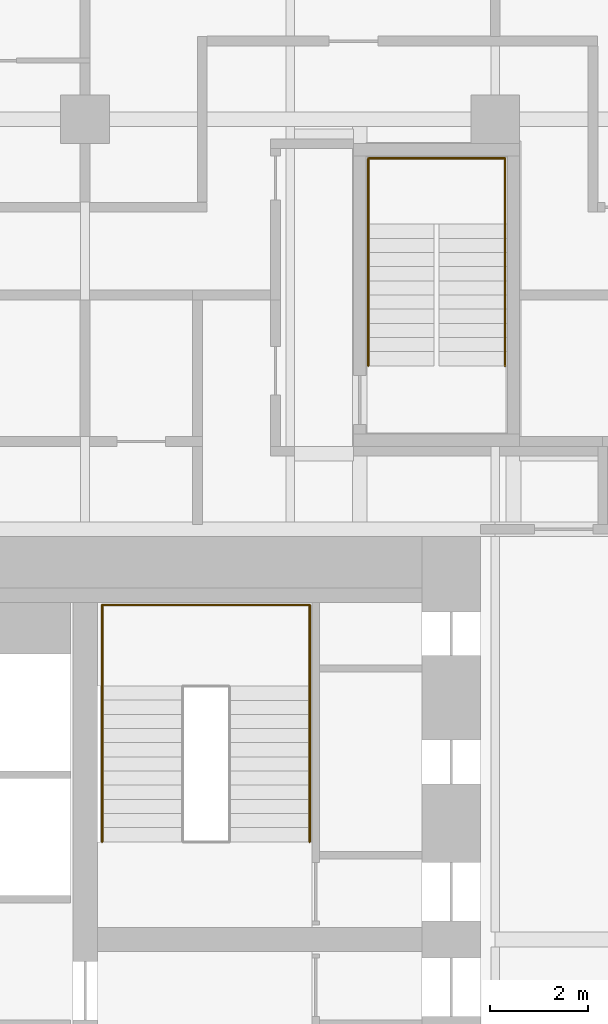
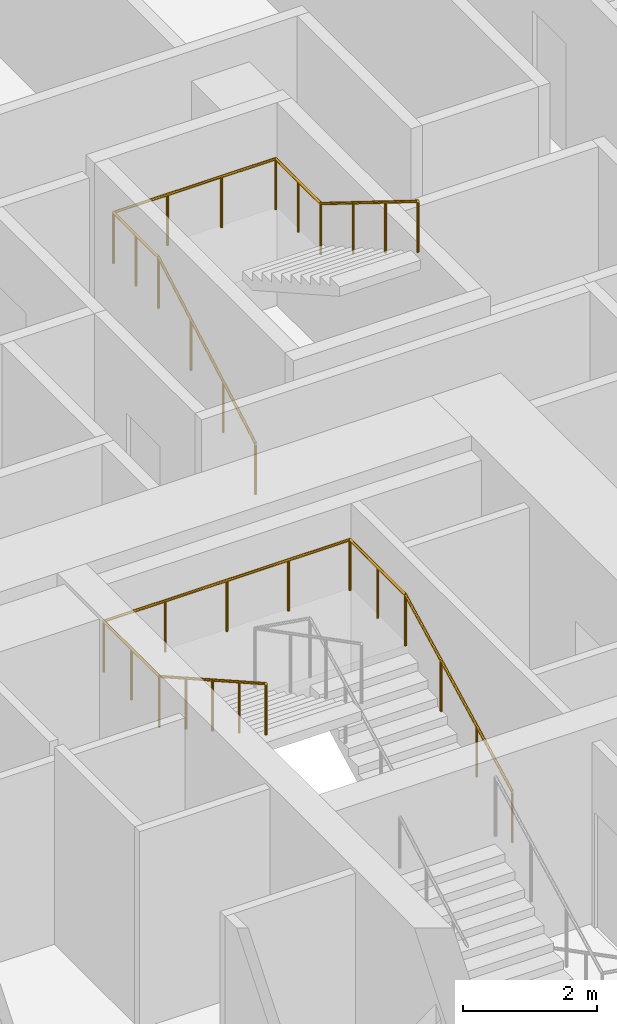
# One storey, part 27 of 27: 2 railings.
"""IFC4 building model written with IfcOpenShell, lengths in metres."""

from ifc_helpers import new_model, si_unit, direction, frame, origin, origin_2d, place, context, subcontext, project, spatial, circle, extrude, material, type_object, element, save


model = new_model("IFC4")

# Units and contexts
model_context = context("Model", 3, precision=1e-05, world=origin(), true_north=direction((0.0, 1.0)))
body_context = subcontext(model_context, "Body", "Model", "MODEL_VIEW")
ifc_project = project(units=[si_unit("LENGTHUNIT", "METRE"), si_unit("AREAUNIT", "SQUARE_METRE"), si_unit("VOLUMEUNIT", "CUBIC_METRE"), si_unit("PLANEANGLEUNIT", "RADIAN"), si_unit("MASSUNIT", "GRAM", prefix="KILO")], contexts=[model_context])

# Site, building, storey
site_placement = place(None, origin())
site = spatial("IfcSite", under=ifc_project, at=site_placement, CompositionType="ELEMENT")
building_placement = place(site_placement, origin())
building = spatial("IfcBuilding", under=site, at=building_placement, Name="Marenta Gate Hotel Tower", CompositionType="ELEMENT")
storey_placement = place(building_placement, frame((0.0, 0.0, 36.5)))
storey = spatial("IfcBuildingStorey", under=building, at=storey_placement, Name="L06", CompositionType="ELEMENT", Elevation=36.5)

# Railings
ifc_material = material(Name="Stainless steel", Category="steel")
railing_type = type_object("IfcRailingType", Name="Core stair handrail 950", PredefinedType="HANDRAIL", material=ifc_material)
railing_1_placement = place(storey_placement, frame((8.800048828125, 10.39990234375, 0.14990234375)))
element("IfcRailing", 1, at=railing_1_placement, inside=storey, type_object=railing_type, Name="HR-950 L06-KR-ST4-1", PredefinedType="HANDRAIL", context=body_context, shape_type="SweptSolid", body=[
    extrude(circle(Radius=0.02392578125, at=origin_2d()), frame((0.0, 0.0, 0.92578125), z_axis=(0.0, 0.888211904222, 0.459434013977), x_axis=(-1.0, 0.0, 0.0)), (0.0, 0.0, 1.0), 3.591796875),
    extrude(circle(Radius=0.02392578125, at=origin_2d()), frame((0.0, 3.190185546875, 2.576171875), z_axis=(0.0, 1.0, 0.0), x_axis=(-1.0, 0.0, 0.0)), (0.0, 0.0, 1.0), 1.659912109375),
    extrude(circle(Radius=0.02392578125, at=origin_2d()), frame((0.0, 4.85009765625, 2.576171875), z_axis=(-1.0, 0.0, 0.0), x_axis=(0.0, -1.0, 0.0)), (0.0, 0.0, 1.0), 4.25),
    extrude(circle(Radius=0.02392578125, at=origin_2d()), frame((-4.25, 4.85009765625, 2.576171875), z_axis=(0.0, -1.0, 0.0), x_axis=(1.0, 0.0, 0.0)), (0.0, 0.0, 1.0), 1.659912109375),
    extrude(circle(Radius=0.02392578125, at=origin_2d()), frame((-4.25, 3.190185546875, 2.576171875), z_axis=(0.0, -0.870925075533, 0.491415824742), x_axis=(1.0, 0.0, 0.0)), (0.0, 0.0, 1.0), 3.6630859375),
    extrude(circle(Radius=0.02099609375, at=origin_2d()), origin(), (0.0, 0.0, 1.0), 0.90185546875),
    extrude(circle(Radius=0.02099609375, at=origin_2d()), frame((0.0, 1.0634765625, 0.550048828125)), (0.0, 0.0, 1.0), 0.90185546875),
    extrude(circle(Radius=0.02099609375, at=origin_2d()), frame((0.0, 2.126708984375, 1.10009765625)), (0.0, 0.0, 1.0), 0.90185546875),
    extrude(circle(Radius=0.02099609375, at=origin_2d()), frame((0.0, 3.190185546875, 1.650146484375)), (0.0, 0.0, 1.0), 0.90185546875),
    extrude(circle(Radius=0.02099609375, at=origin_2d()), frame((0.0, 4.02001953125, 1.650146484375)), (0.0, 0.0, 1.0), 0.90185546875),
    extrude(circle(Radius=0.02099609375, at=origin_2d()), frame((0.0, 4.85009765625, 1.650146484375)), (0.0, 0.0, 1.0), 0.90185546875),
    extrude(circle(Radius=0.02099609375, at=origin_2d()), frame((-1.0625, 4.85009765625, 1.650146484375)), (0.0, 0.0, 1.0), 0.90185546875),
    extrude(circle(Radius=0.02099609375, at=origin_2d()), frame((-2.125, 4.85009765625, 1.650146484375)), (0.0, 0.0, 1.0), 0.90185546875),
    extrude(circle(Radius=0.02099609375, at=origin_2d()), frame((-3.1875, 4.85009765625, 1.650146484375)), (0.0, 0.0, 1.0), 0.90185546875),
    extrude(circle(Radius=0.02099609375, at=origin_2d()), frame((-4.25, 4.85009765625, 1.650146484375)), (0.0, 0.0, 1.0), 0.90185546875),
    extrude(circle(Radius=0.02099609375, at=origin_2d()), frame((-4.25, 4.02001953125, 1.650146484375)), (0.0, 0.0, 1.0), 0.90185546875),
    extrude(circle(Radius=0.02099609375, at=origin_2d()), frame((-4.25, 3.190185546875, 1.650146484375)), (0.0, 0.0, 1.0), 0.90185546875),
    extrude(circle(Radius=0.02099609375, at=origin_2d()), frame((-4.25, 2.392578125, 2.10009765625)), (0.0, 0.0, 1.0), 0.90185546875),
    extrude(circle(Radius=0.02099609375, at=origin_2d()), frame((-4.25, 1.59521484375, 2.55029296875)), (0.0, 0.0, 1.0), 0.90185546875),
    extrude(circle(Radius=0.02099609375, at=origin_2d()), frame((-4.25, 0.797607421875, 3.000244140625)), (0.0, 0.0, 1.0), 0.90185546875),
    extrude(circle(Radius=0.02099609375, at=origin_2d()), frame((-4.25, 0.0, 3.4501953125)), (0.0, 0.0, 1.0), 0.90185546875),
])
railing_2_placement = place(storey_placement, frame((10.0, 20.14990234375, 0.16357421875)))
element("IfcRailing", 2, at=railing_2_placement, inside=storey, type_object=railing_type, Name="HR-950 L06-RS-Z1-4-KR-1", PredefinedType="HANDRAIL", context=body_context, shape_type="SweptSolid", body=[
    extrude(circle(Radius=0.02392578125, at=origin_2d()), frame((0.0, 0.0, 0.92578125), z_axis=(0.0, 0.870914908162, 0.491433843708), x_axis=(-1.0, 0.0, 0.0)), (0.0, 0.0, 1.0), 3.330078125),
    extrude(circle(Radius=0.02392578125, at=origin_2d()), frame((0.0, 2.900146484375, 2.5625), z_axis=(0.0, 1.0, 0.0), x_axis=(-1.0, 0.0, 0.0)), (0.0, 0.0, 1.0), 1.349853515625),
    extrude(circle(Radius=0.02392578125, at=origin_2d()), frame((0.0, 4.25, 2.5625), z_axis=(1.0, 0.0, 0.0), x_axis=(0.0, 1.0, 0.0)), (0.0, 0.0, 1.0), 2.800048828125),
    extrude(circle(Radius=0.02392578125, at=origin_2d()), frame((2.800048828125, 4.25, 2.5625), z_axis=(0.0, -1.0, 0.0), x_axis=(1.0, 0.0, 0.0)), (0.0, 0.0, 1.0), 1.349853515625),
    extrude(circle(Radius=0.02392578125, at=origin_2d()), frame((2.800048828125, 2.900146484375, 2.5625), z_axis=(0.0, -0.849645691689, 0.527353959494), x_axis=(1.0, 0.0, 0.0)), (0.0, 0.0, 1.0), 3.413330078125),
    extrude(circle(Radius=0.02099609375, at=origin_2d()), origin(), (0.0, 0.0, 1.0), 0.90185546875),
    extrude(circle(Radius=0.02099609375, at=origin_2d()), frame((0.0, 0.966796875, 0.54541015625)), (0.0, 0.0, 1.0), 0.90185546875),
    extrude(circle(Radius=0.02099609375, at=origin_2d()), frame((0.0, 1.933349609375, 1.091064453125)), (0.0, 0.0, 1.0), 0.90185546875),
    extrude(circle(Radius=0.02099609375, at=origin_2d()), frame((0.0, 2.900146484375, 1.636474609375)), (0.0, 0.0, 1.0), 0.90185546875),
    extrude(circle(Radius=0.02099609375, at=origin_2d()), frame((0.0, 3.5751953125, 1.636474609375)), (0.0, 0.0, 1.0), 0.90185546875),
    extrude(circle(Radius=0.02099609375, at=origin_2d()), frame((0.0, 4.25, 1.636474609375)), (0.0, 0.0, 1.0), 0.90185546875),
    extrude(circle(Radius=0.02099609375, at=origin_2d()), frame((0.933349609375, 4.25, 1.636474609375)), (0.0, 0.0, 1.0), 0.90185546875),
    extrude(circle(Radius=0.02099609375, at=origin_2d()), frame((1.86669921875, 4.25, 1.636474609375)), (0.0, 0.0, 1.0), 0.90185546875),
    extrude(circle(Radius=0.02099609375, at=origin_2d()), frame((2.800048828125, 4.25, 1.636474609375)), (0.0, 0.0, 1.0), 0.90185546875),
    extrude(circle(Radius=0.02099609375, at=origin_2d()), frame((2.800048828125, 3.5751953125, 1.636474609375)), (0.0, 0.0, 1.0), 0.90185546875),
    extrude(circle(Radius=0.02099609375, at=origin_2d()), frame((2.800048828125, 2.900146484375, 1.636474609375)), (0.0, 0.0, 1.0), 0.90185546875),
    extrude(circle(Radius=0.02099609375, at=origin_2d()), frame((2.800048828125, 1.933349609375, 2.236572265625)), (0.0, 0.0, 1.0), 0.90185546875),
    extrude(circle(Radius=0.02099609375, at=origin_2d()), frame((2.800048828125, 0.966796875, 2.83642578125)), (0.0, 0.0, 1.0), 0.90185546875),
    extrude(circle(Radius=0.02099609375, at=origin_2d()), frame((2.800048828125, 0.0, 3.4365234375)), (0.0, 0.0, 1.0), 0.90185546875),
])

save(model, "model.ifc")
